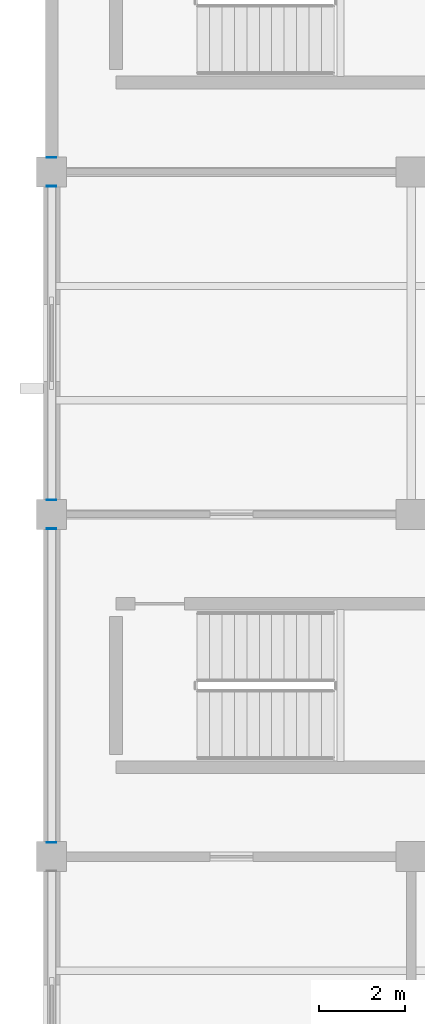
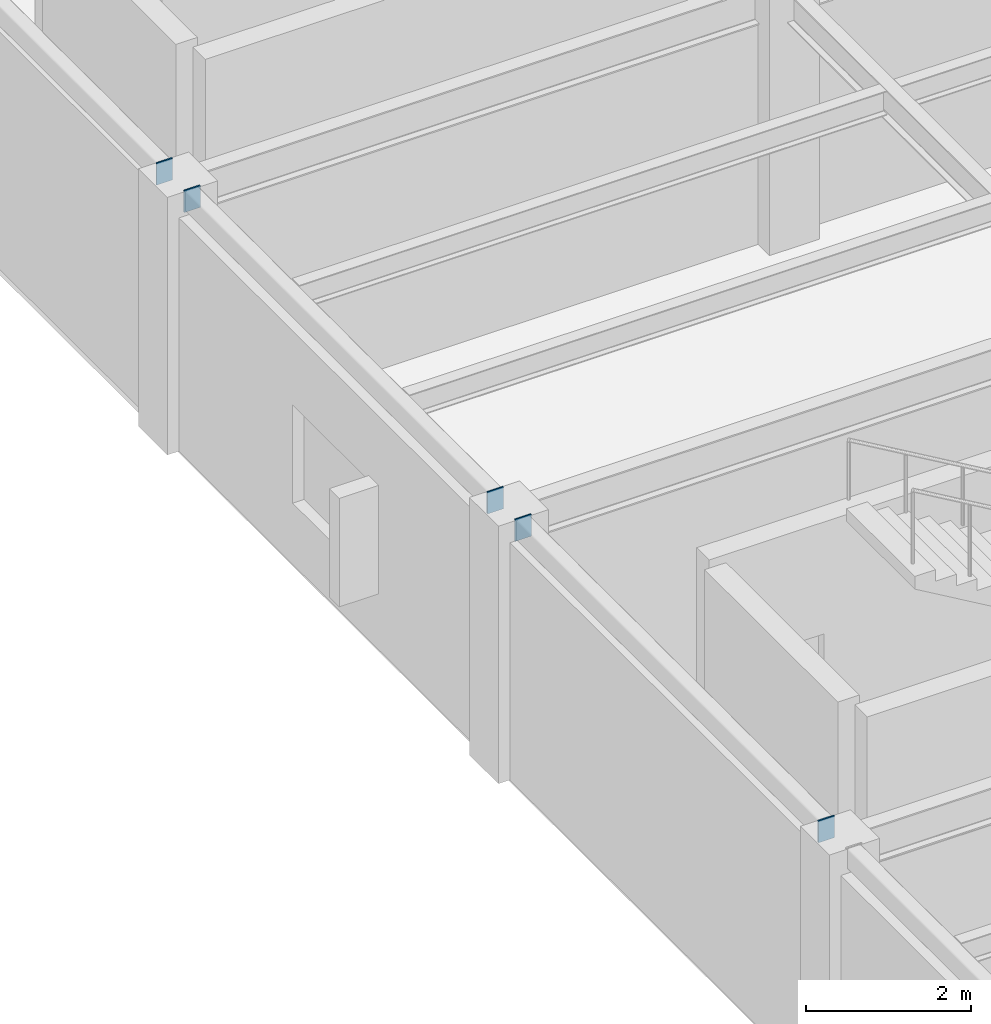
# One storey, part 99 of 138: 5 discrete accessories.
"""IFC4 building model written with IfcOpenShell, lengths in metres."""

from ifc_helpers import new_model, si_unit, direction, frame, origin, origin_2d, place, context, subcontext, project, spatial, rectangle, extrude, material, layer, layer_set, type_object, element, save


model = new_model("IFC4")

# Units and contexts
model_context = context("Model", 3, precision=1e-05, world=origin(), true_north=direction((0.0, 1.0)))
body_context = subcontext(model_context, "Body", "Model", "MODEL_VIEW")
ifc_project = project(units=[si_unit("LENGTHUNIT", "METRE"), si_unit("AREAUNIT", "SQUARE_METRE"), si_unit("VOLUMEUNIT", "CUBIC_METRE"), si_unit("PLANEANGLEUNIT", "RADIAN"), si_unit("MASSUNIT", "GRAM", prefix="KILO")], contexts=[model_context])

# Site, building, storey
site_placement = place(None, origin())
site = spatial("IfcSite", under=ifc_project, at=site_placement, CompositionType="ELEMENT")
building_placement = place(site_placement, origin())
building = spatial("IfcBuilding", under=site, at=building_placement, Name="Kranzveld Transit Interchange", CompositionType="ELEMENT")
storey_placement = place(building_placement, frame((0.0, 0.0, 5.43994140625)))
storey = spatial("IfcBuildingStorey", under=building, at=storey_placement, Name="L01", CompositionType="ELEMENT", Elevation=5.43994140625)

# Discrete accessories
ifc_material = material(Name="Steel S355JR", Category="steel")
ifc_layer = layer(ifc_material, 0.02001953125)
ifc_layer_set = layer_set([ifc_layer], Name="Steel S355JR")
discrete_accessory_type = type_object("IfcDiscreteAccessoryType", Name="Hollow Section End Cap Bracket 20 S355JR", PredefinedType="BRACKET", material=ifc_layer_set)
for number, where, z_axis, x_axis, name in (
    (1, (0.0, 64.343994140625, 3.650146484375), (0.0, -1.0, 0.0), (1.0, 0.0, 0.0), "Hollow Section End Cap SP-RHS300-1"),
    (2, (0.0, 71.656005859375, 3.650146484375), (0.0, 1.0, 0.0), (-1.0, 0.0, 0.0), "Hollow Section End Cap SP-RHS300-2"),
    (3, (0.0, 72.343994140625, 3.650146484375), (0.0, -1.0, 0.0), (1.0, 0.0, 0.0), "Hollow Section End Cap SP-RHS300-1"),
    (4, (0.0, 79.656005859375, 3.650146484375), (0.0, 1.0, 0.0), (-1.0, 0.0, 0.0), "Hollow Section End Cap SP-RHS300-2"),
    (5, (0.0, 80.343994140625, 3.650146484375), (0.0, -1.0, 0.0), (1.0, 0.0, 0.0), "Hollow Section End Cap SP-RHS300-1"),
):
    element("IfcDiscreteAccessory", number, at=place(storey_placement, frame(where, z_axis=z_axis, x_axis=x_axis)), inside=storey, type_object=discrete_accessory_type, Name=name, PredefinedType="BRACKET", context=body_context, shape_type="SweptSolid", body=[
        extrude(rectangle(XDim=0.22412109375, YDim=0.323974609375, at=origin_2d()), origin(), (0.0, 0.0, 1.0), 0.02001953125),
    ])

save(model, "model.ifc")
